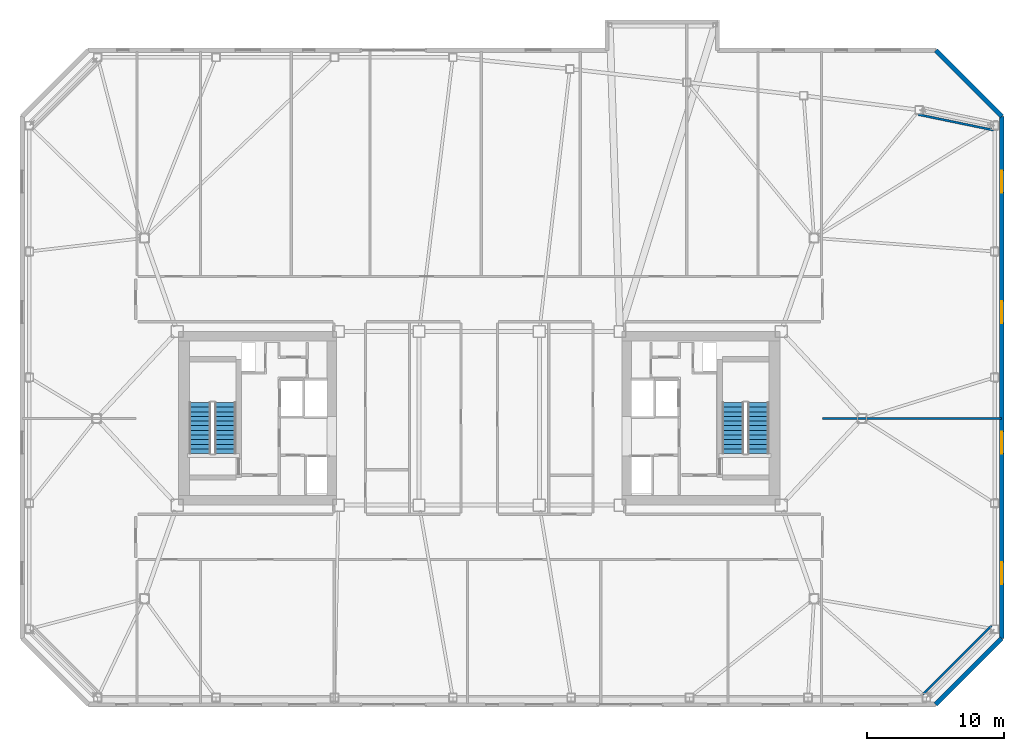
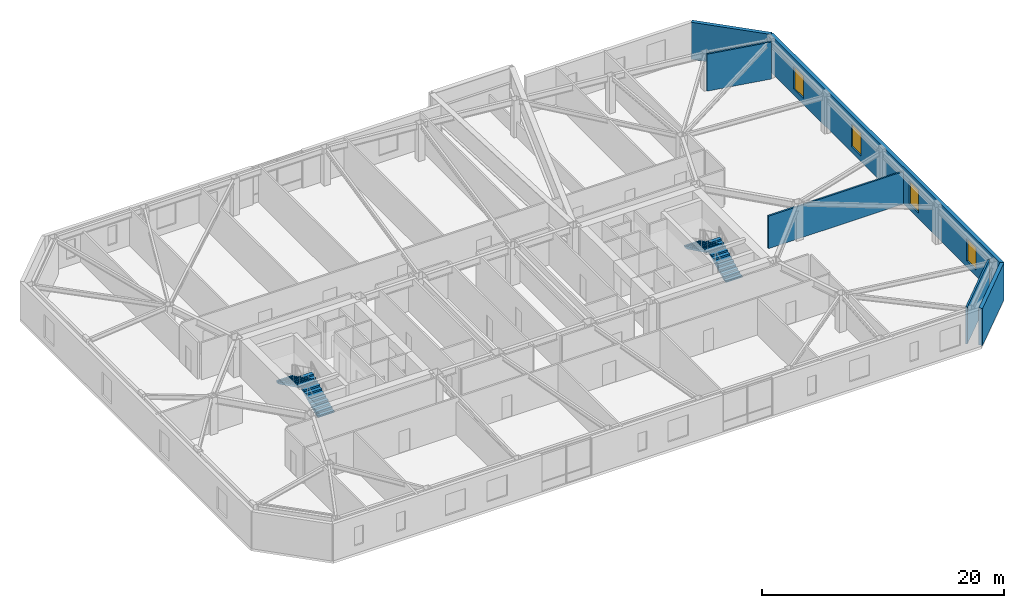
# One storey, part 14 of 18: 6 walls, 4 stair flights, 4 windows, 4 openings, 2 elements without a shape of their own.
"""IFC4 building model written with IfcOpenShell, lengths in metres."""

from ifc_helpers import new_model, si_unit, direction, frame, frame_2d, origin, place, context, subcontext, project, spatial, polyline, rectangle, outline, extrude, material, layer, layer_set, type_object, element, fill, aggregate, save


model = new_model("IFC4")

# Units and contexts
model_context = context("Model", 3, precision=1e-05, world=origin(), true_north=direction((0.0, 1.0)))
body_context = subcontext(model_context, "Body", "Model", "MODEL_VIEW")
ifc_project = project(units=[si_unit("LENGTHUNIT", "METRE"), si_unit("AREAUNIT", "SQUARE_METRE"), si_unit("VOLUMEUNIT", "CUBIC_METRE"), si_unit("PLANEANGLEUNIT", "RADIAN"), si_unit("MASSUNIT", "GRAM", prefix="KILO")], contexts=[model_context])

# Site, building, storey
site_placement = place(None, origin())
site = spatial("IfcSite", under=ifc_project, at=site_placement, CompositionType="ELEMENT")
building_placement = place(site_placement, origin())
building = spatial("IfcBuilding", under=site, at=building_placement, Name="Tavrogorsk Clinical Tower", CompositionType="ELEMENT")
storey_placement = place(building_placement, frame((0.0, 0.0, 180.199951171875)))
storey = spatial("IfcBuildingStorey", under=building, at=storey_placement, Name="L41", CompositionType="ELEMENT", Elevation=180.199951171875)

# Walls
ifc_material_1 = material(Name="Lightweight concrete blockwork B15", Category="masonry")
ifc_layer_1 = layer(ifc_material_1, 0.159912109375)
ifc_layer_set_1 = layer_set([ifc_layer_1], Name="Lightweight concrete blockwork B15")
wall_type_1 = type_object("IfcWallType", Name="PartitionWall_160", PredefinedType="PARTITIONING", material=ifc_layer_set_1)
wall_1_placement = place(storey_placement, frame((32.4794921875, -20.1796875, 0.0), z_axis=(0.0, 0.0, 1.0), x_axis=(0.707106781187, 0.707106781187, 0.0)))
element("IfcWall", 1, at=wall_1_placement, inside=storey, type_object=wall_type_1, Name="L41 Corner Exoskeleton Brace Furring Wall 1", PredefinedType="PARTITIONING", context=body_context, shape_type="SweptSolid", body=[
    extrude(rectangle(XDim=7.071044921875, YDim=0.159912109375, at=frame_2d((3.53564453125, 0.0))), origin(), (0.0, 0.0, 1.0), 3.739990234375),
])
wall_2_placement = place(storey_placement, frame((37.65087890625, 21.0869140625, 0.0), z_axis=(0.0, 0.0, 1.0), x_axis=(-0.979184618318, 0.202971631636, 0.0)))
element("IfcWall", 2, at=wall_2_placement, inside=storey, type_object=wall_type_1, Name="L41 Corner Exoskeleton Brace Furring Wall 2", PredefinedType="PARTITIONING", context=body_context, shape_type="SweptSolid", body=[
    extrude(rectangle(XDim=5.64599609375, YDim=0.159912109375, at=frame_2d((2.822998046875, 0.0))), origin(), (0.0, 0.0, 1.0), 3.739990234375),
])
wall_3_placement = place(storey_placement, frame((25.1298828125, 0.0, 0.0), z_axis=(0.0, 0.0, 1.0), x_axis=(1.0, 0.0, 0.0)))
element("IfcWall", 3, at=wall_3_placement, inside=storey, type_object=wall_type_1, Name="L41 E Wing Divider 1", PredefinedType="PARTITIONING", context=body_context, shape_type="SweptSolid", body=[
    extrude(rectangle(XDim=13.080078125, YDim=0.159912109375, at=frame_2d((6.5400390625, 0.0))), origin(), (0.0, 0.0, 1.0), 3.28515625),
])

# Wall, openings, windows
ifc_material_2 = material(Name="Precast concrete B45 with limestone cladding", Category="masonry")
ifc_layer_2 = layer(ifc_material_2, 0.340087890625)
ifc_layer_set_2 = layer_set([ifc_layer_2], Name="Precast concrete B45 with limestone cladding")
wall_type_2 = type_object("IfcWallType", Name="PrecastLimestoneWall_340", PredefinedType="STANDARD", material=ifc_layer_set_2)
wall_4_placement = place(storey_placement, frame((38.22998046875, -16.10009765625, 0.0), z_axis=(0.0, 0.0, 1.0), x_axis=(0.0, 1.0, 0.0)))
wall_4 = element("IfcWall", 4, at=wall_4_placement, inside=storey, type_object=wall_type_2, Name="L41 E Pleated Limestone Wing Wall", PredefinedType="STANDARD", context=body_context, shape_type="SweptSolid", body=[
    extrude(rectangle(XDim=38.2001953125, YDim=0.340087890625, at=frame_2d((19.10009765625, 0.0))), origin(), (0.0, 0.0, 1.0), 3.739990234375),
])
opening_1_placement = place(wall_4_placement, frame((3.97509765625, 0.0, 0.580078125)))
opening_1 = element("IfcOpeningElement", 5, at=opening_1_placement, cuts=wall_4, Name="Opening WN-07", PredefinedType="OPENING", context=body_context, shape_type="SweptSolid", body=[
    extrude(rectangle(XDim=1.60009765625, YDim=2.300048828125, at=frame_2d((0.800048828125, 1.14990234375))), frame((0.0, 0.179931640625, 0.0), z_axis=(0.0, -1.0, 0.0), x_axis=(1.0, 0.0, 0.0)), (0.0, 0.0, 1.0), 0.360107421875),
])
opening_2_placement = place(wall_4_placement, frame((13.52490234375, 0.0, 0.580078125)))
opening_2 = element("IfcOpeningElement", 6, at=opening_2_placement, cuts=wall_4, Name="Opening WN-07", PredefinedType="OPENING", context=body_context, shape_type="SweptSolid", body=[
    extrude(rectangle(XDim=1.60009765625, YDim=2.300048828125, at=frame_2d((0.800048828125, 1.14990234375))), frame((0.0, 0.179931640625, 0.0), z_axis=(0.0, -1.0, 0.0), x_axis=(1.0, 0.0, 0.0)), (0.0, 0.0, 1.0), 0.360107421875),
])
opening_3_placement = place(wall_4_placement, frame((23.074951171875, 0.0, 0.580078125)))
opening_3 = element("IfcOpeningElement", 7, at=opening_3_placement, cuts=wall_4, Name="Opening WN-07", PredefinedType="OPENING", context=body_context, shape_type="SweptSolid", body=[
    extrude(rectangle(XDim=1.60009765625, YDim=2.300048828125, at=frame_2d((0.800048828125, 1.14990234375))), frame((0.0, 0.179931640625, 0.0), z_axis=(0.0, -1.0, 0.0), x_axis=(1.0, 0.0, 0.0)), (0.0, 0.0, 1.0), 0.360107421875),
])
opening_4_placement = place(wall_4_placement, frame((32.625, 0.0, 0.580078125)))
opening_4 = element("IfcOpeningElement", 8, at=opening_4_placement, cuts=wall_4, Name="Opening WN-07", PredefinedType="OPENING", context=body_context, shape_type="SweptSolid", body=[
    extrude(rectangle(XDim=1.60009765625, YDim=2.300048828125, at=frame_2d((0.800048828125, 1.14990234375))), frame((0.0, 0.179931640625, 0.0), z_axis=(0.0, -1.0, 0.0), x_axis=(1.0, 0.0, 0.0)), (0.0, 0.0, 1.0), 0.360107421875),
])
ifc_material_3 = material(Name="Thermally broken aluminium frame and triple IGU", Category="aluminium")
window_type = type_object("IfcWindowType", Name="PleatSlotWin_1600x2300", PartitioningType="SINGLE_PANEL", PredefinedType="WINDOW", material=ifc_material_3)
window_1_placement = place(opening_1_placement, origin())
window_1 = element("IfcWindow", 9, at=window_1_placement, inside=storey, type_object=window_type, Name="L41 E Pleat Slot Window 1", OverallHeight=2.300048828125, OverallWidth=1.60009765625, PartitioningType="SINGLE_PANEL", PredefinedType="WINDOW", context=body_context, shape_type="SweptSolid", body=[
    extrude(rectangle(XDim=1.60009765625, YDim=2.300048828125, at=frame_2d((0.800048828125, 1.14990234375))), frame((0.0, 0.030029296875, 0.0), z_axis=(0.0, -1.0, 0.0), x_axis=(1.0, 0.0, 0.0)), (0.0, 0.0, 1.0), 0.06005859375),
])
fill(opening_1, window_1)
window_2_placement = place(opening_2_placement, origin())
window_2 = element("IfcWindow", 10, at=window_2_placement, inside=storey, type_object=window_type, Name="L41 E Pleat Slot Window 2", OverallHeight=2.300048828125, OverallWidth=1.60009765625, PartitioningType="SINGLE_PANEL", PredefinedType="WINDOW", context=body_context, shape_type="SweptSolid", body=[
    extrude(rectangle(XDim=1.60009765625, YDim=2.300048828125, at=frame_2d((0.800048828125, 1.14990234375))), frame((0.0, 0.030029296875, 0.0), z_axis=(0.0, -1.0, 0.0), x_axis=(1.0, 0.0, 0.0)), (0.0, 0.0, 1.0), 0.06005859375),
])
fill(opening_2, window_2)
window_3_placement = place(opening_3_placement, origin())
window_3 = element("IfcWindow", 11, at=window_3_placement, inside=storey, type_object=window_type, Name="L41 E Pleat Slot Window 3", OverallHeight=2.300048828125, OverallWidth=1.60009765625, PartitioningType="SINGLE_PANEL", PredefinedType="WINDOW", context=body_context, shape_type="SweptSolid", body=[
    extrude(rectangle(XDim=1.60009765625, YDim=2.300048828125, at=frame_2d((0.800048828125, 1.14990234375))), frame((0.0, 0.030029296875, 0.0), z_axis=(0.0, -1.0, 0.0), x_axis=(1.0, 0.0, 0.0)), (0.0, 0.0, 1.0), 0.06005859375),
])
fill(opening_3, window_3)
window_4_placement = place(opening_4_placement, origin())
window_4 = element("IfcWindow", 12, at=window_4_placement, inside=storey, type_object=window_type, Name="L41 E Pleat Slot Window 4", OverallHeight=2.300048828125, OverallWidth=1.60009765625, PartitioningType="SINGLE_PANEL", PredefinedType="WINDOW", context=body_context, shape_type="SweptSolid", body=[
    extrude(rectangle(XDim=1.60009765625, YDim=2.300048828125, at=frame_2d((0.800048828125, 1.14990234375))), frame((0.0, 0.030029296875, 0.0), z_axis=(0.0, -1.0, 0.0), x_axis=(1.0, 0.0, 0.0)), (0.0, 0.0, 1.0), 0.06005859375),
])
fill(opening_4, window_4)

# Walls
for number, where, z_axis, x_axis, name in (
    (13, (33.39990234375, -20.929931640625, 0.0), (0.0, 0.0, 1.0), (0.707124652085, 0.707088909836, 0.0), "L41 Chamfered Corner Wall 1"),
    (14, (38.22998046875, 22.10009765625, 0.0), (0.0, 0.0, 1.0), (-0.707124652085, 0.707088909836, 0.0), "L41 Chamfered Corner Wall 2"),
):
    element("IfcWall", number, at=place(storey_placement, frame(where, z_axis=z_axis, x_axis=x_axis)), inside=storey, type_object=wall_type_2, Name=name, PredefinedType="STANDARD", context=body_context, shape_type="SweptSolid", body=[
        extrude(rectangle(XDim=6.83056640625, YDim=0.340087890625, at=frame_2d((3.415283203125, 0.0))), origin(), (0.0, 0.0, 1.0), 3.739990234375),
    ])

# Stair, stair flights
ifc_material_4 = material(Name="Concrete B60", Category="concrete")
stair_type = type_object("IfcStairType", Name="CoreStairAssembly", PredefinedType="HALF_TURN_STAIR", material=ifc_material_4)
stair_1_placement = place(storey_placement, origin())
stair_1 = element("IfcStair", 15, at=stair_1_placement, inside=storey, type_object=stair_type, Name="L41 ST-W", PredefinedType="HALF_TURN_STAIR")
ifc_material_5 = material(Name="Concrete B60", Category="concrete")
stair_flight_type = type_object("IfcStairFlightType", Name="CoreStairFlight", PredefinedType="STRAIGHT", material=ifc_material_5)
stair_flight_1_placement = place(storey_placement, frame((-18.574951171875, -2.574951171875, 0.0), z_axis=(0.0, 0.0, 1.0), x_axis=(0.0, 1.0, 0.0)))
stair_flight_1 = element("IfcStairFlight", 16, at=stair_flight_1_placement, type_object=stair_flight_type, Name="ST-W flight 1", NumberOfRisers=12, NumberOfTreads=11, PredefinedType="STRAIGHT", RiserHeight=0.166666667, TreadLength=0.34, context=body_context, shape_type="SweptSolid", body=[
    extrude(outline(polyline([(0.0, 0.0), (0.0, 0.166748046875), (0.340087890625, 0.166748046875), (0.340087890625, 0.333251953125), (0.679931640625, 0.333251953125), (0.679931640625, 0.5), (1.02001953125, 0.5), (1.02001953125, 0.666748046875), (1.360107421875, 0.666748046875), (1.360107421875, 0.833251953125), (1.699951171875, 0.833251953125), (1.699951171875, 1.0), (2.0400390625, 1.0), (2.0400390625, 1.166748046875), (2.3798828125, 1.166748046875), (2.3798828125, 1.333251953125), (2.719970703125, 1.333251953125), (2.719970703125, 1.5), (3.06005859375, 1.5), (3.06005859375, 1.666748046875), (3.39990234375, 1.666748046875), (3.39990234375, 1.833251953125), (3.739990234375, 1.833251953125), (3.739990234375, 2.0), (3.739990234375, 1.66650390625), (0.340576171875, 0.0), (0.0, 0.0)])), frame((0.0, 0.77490234375, 0.0), z_axis=(0.0, -1.0, 0.0), x_axis=(1.0, 0.0, 0.0)), (0.0, 0.0, 1.0), 1.550048828125),
])
stair_flight_2_placement = place(storey_placement, frame((-20.425048828125, 1.1650390625, 2.0), z_axis=(0.0, 0.0, 1.0), x_axis=(0.0, -1.0, 0.0)))
stair_flight_2 = element("IfcStairFlight", 17, at=stair_flight_2_placement, type_object=stair_flight_type, Name="ST-W flight 2", NumberOfRisers=12, NumberOfTreads=11, PredefinedType="STRAIGHT", RiserHeight=0.166666667, TreadLength=0.34, context=body_context, shape_type="SweptSolid", body=[
    extrude(outline(polyline([(0.0, 0.0), (0.0, 0.166748046875), (0.340087890625, 0.166748046875), (0.340087890625, 0.333251953125), (0.679931640625, 0.333251953125), (0.679931640625, 0.5), (1.02001953125, 0.5), (1.02001953125, 0.666748046875), (1.360107421875, 0.666748046875), (1.360107421875, 0.833251953125), (1.699951171875, 0.833251953125), (1.699951171875, 1.0), (2.0400390625, 1.0), (2.0400390625, 1.166748046875), (2.3798828125, 1.166748046875), (2.3798828125, 1.333251953125), (2.719970703125, 1.333251953125), (2.719970703125, 1.5), (3.06005859375, 1.5), (3.06005859375, 1.666748046875), (3.39990234375, 1.666748046875), (3.39990234375, 1.833251953125), (3.739990234375, 1.833251953125), (3.739990234375, 2.0), (3.739990234375, 1.66650390625), (0.340576171875, 0.0), (0.0, 0.0)])), frame((0.0, 0.77490234375, 0.0), z_axis=(0.0, -1.0, 0.0), x_axis=(1.0, 0.0, 0.0)), (0.0, 0.0, 1.0), 1.550048828125),
])
aggregate(stair_1, [stair_flight_1, stair_flight_2])

stair_2_placement = place(storey_placement, origin())
stair_2 = element("IfcStair", 18, at=stair_2_placement, inside=storey, type_object=stair_type, Name="L41 ST-E", PredefinedType="HALF_TURN_STAIR")
stair_flight_3_placement = place(storey_placement, frame((20.425048828125, -2.574951171875, 0.0), z_axis=(0.0, 0.0, 1.0), x_axis=(0.0, 1.0, 0.0)))
stair_flight_3 = element("IfcStairFlight", 19, at=stair_flight_3_placement, type_object=stair_flight_type, Name="ST-E flight 1", NumberOfRisers=12, NumberOfTreads=11, PredefinedType="STRAIGHT", RiserHeight=0.166666667, TreadLength=0.34, context=body_context, shape_type="SweptSolid", body=[
    extrude(outline(polyline([(0.0, 0.0), (0.0, 0.166748046875), (0.340087890625, 0.166748046875), (0.340087890625, 0.333251953125), (0.679931640625, 0.333251953125), (0.679931640625, 0.5), (1.02001953125, 0.5), (1.02001953125, 0.666748046875), (1.360107421875, 0.666748046875), (1.360107421875, 0.833251953125), (1.699951171875, 0.833251953125), (1.699951171875, 1.0), (2.0400390625, 1.0), (2.0400390625, 1.166748046875), (2.3798828125, 1.166748046875), (2.3798828125, 1.333251953125), (2.719970703125, 1.333251953125), (2.719970703125, 1.5), (3.06005859375, 1.5), (3.06005859375, 1.666748046875), (3.39990234375, 1.666748046875), (3.39990234375, 1.833251953125), (3.739990234375, 1.833251953125), (3.739990234375, 2.0), (3.739990234375, 1.66650390625), (0.340576171875, 0.0), (0.0, 0.0)])), frame((0.0, 0.77490234375, 0.0), z_axis=(0.0, -1.0, 0.0), x_axis=(1.0, 0.0, 0.0)), (0.0, 0.0, 1.0), 1.550048828125),
])
stair_flight_4_placement = place(storey_placement, frame((18.574951171875, 1.1650390625, 2.0), z_axis=(0.0, 0.0, 1.0), x_axis=(0.0, -1.0, 0.0)))
stair_flight_4 = element("IfcStairFlight", 20, at=stair_flight_4_placement, type_object=stair_flight_type, Name="ST-E flight 2", NumberOfRisers=12, NumberOfTreads=11, PredefinedType="STRAIGHT", RiserHeight=0.166666667, TreadLength=0.34, context=body_context, shape_type="SweptSolid", body=[
    extrude(outline(polyline([(0.0, 0.0), (0.0, 0.166748046875), (0.340087890625, 0.166748046875), (0.340087890625, 0.333251953125), (0.679931640625, 0.333251953125), (0.679931640625, 0.5), (1.02001953125, 0.5), (1.02001953125, 0.666748046875), (1.360107421875, 0.666748046875), (1.360107421875, 0.833251953125), (1.699951171875, 0.833251953125), (1.699951171875, 1.0), (2.0400390625, 1.0), (2.0400390625, 1.166748046875), (2.3798828125, 1.166748046875), (2.3798828125, 1.333251953125), (2.719970703125, 1.333251953125), (2.719970703125, 1.5), (3.06005859375, 1.5), (3.06005859375, 1.666748046875), (3.39990234375, 1.666748046875), (3.39990234375, 1.833251953125), (3.739990234375, 1.833251953125), (3.739990234375, 2.0), (3.739990234375, 1.66650390625), (0.340576171875, 0.0), (0.0, 0.0)])), frame((0.0, 0.77490234375, 0.0), z_axis=(0.0, -1.0, 0.0), x_axis=(1.0, 0.0, 0.0)), (0.0, 0.0, 1.0), 1.550048828125),
])
aggregate(stair_2, [stair_flight_3, stair_flight_4])

save(model, "model.ifc")
